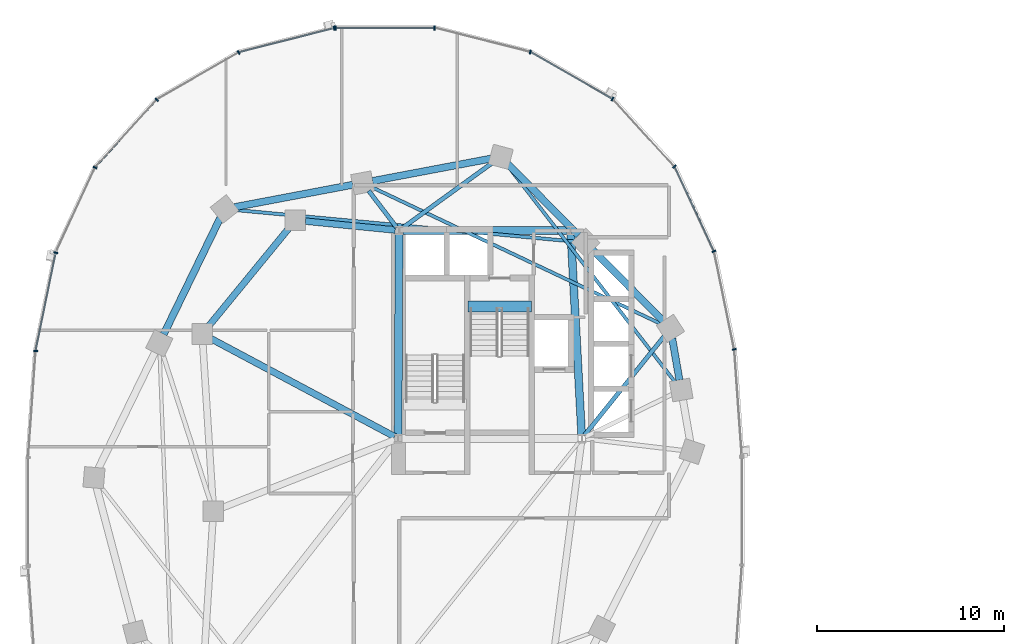
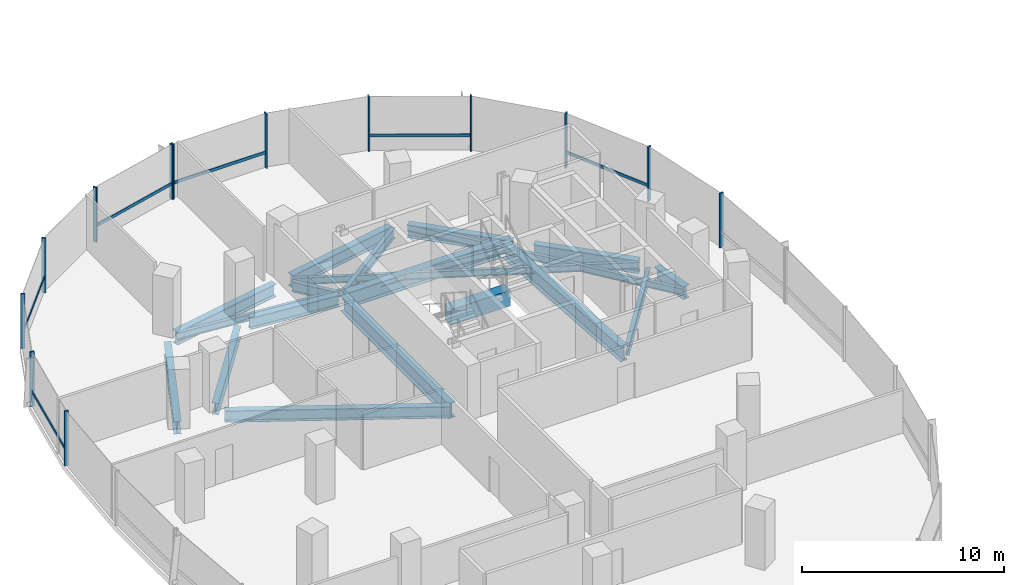
# One storey, part 4 of 21: 19 beams, 19 members, 2 elements without a shape of their own.
"""IFC4 building model written with IfcOpenShell, lengths in metres."""

from ifc_helpers import new_model, si_unit, direction, frame, origin, origin_2d, place, context, subcontext, project, spatial, rectangle, i_section, extrude, material, material_profile, profile_set, type_object, element, aggregate, save


model = new_model("IFC4")

# Units and contexts
model_context = context("Model", 3, precision=1e-05, world=origin(), true_north=direction((0.0, 1.0)))
body_context = subcontext(model_context, "Body", "Model", "MODEL_VIEW")
ifc_project = project(units=[si_unit("LENGTHUNIT", "METRE"), si_unit("AREAUNIT", "SQUARE_METRE"), si_unit("VOLUMEUNIT", "CUBIC_METRE"), si_unit("PLANEANGLEUNIT", "RADIAN"), si_unit("MASSUNIT", "GRAM", prefix="KILO"), si_unit("THERMODYNAMICTEMPERATUREUNIT", "KELVIN"), si_unit("POWERUNIT", "WATT")], contexts=[model_context])

# Site, building, storey
site_placement = place(None, origin())
site = spatial("IfcSite", under=ifc_project, at=site_placement, CompositionType="ELEMENT")
building_placement = place(site_placement, origin())
building = spatial("IfcBuilding", under=site, at=building_placement, Name="Cundina Bronze Exchange", CompositionType="ELEMENT")
storey_placement = place(building_placement, frame((0.0, 0.0, 99.800048828125)))
storey = spatial("IfcBuildingStorey", under=building, at=storey_placement, Name="L25", CompositionType="ELEMENT", Elevation=99.800048828125)

# Beams
ifc_material_1 = material(Name="Concrete C60/75", Category="concrete")
ifc_material_profile_1 = material_profile(ifc_material_1, rectangle(XDim=0.60009765625, YDim=0.949951171875, at=origin_2d()), Name="RC600X950", Category="concrete")
ifc_profile_set_1 = profile_set([ifc_material_profile_1], Name="Concrete C60/75")
beam_type_1 = type_object("IfcBeamType", Name="BM-COUP-RC950", PredefinedType="LINTEL", material=ifc_profile_set_1)
beam_1_placement = place(storey_placement, frame((-27.56005859375, 10.97998046875, -0.47509765625), z_axis=(1.0, 0.0, 0.0), x_axis=(0.0, 1.0, 0.0)))
element("IfcBeam", 1, at=beam_1_placement, inside=storey, type_object=beam_type_1, Name="L25 Stair W2 Landing Header Beam", PredefinedType="LINTEL", context=body_context, shape_type="SweptSolid", body=[
    extrude(rectangle(XDim=0.60009765625, YDim=0.949951171875, at=origin_2d()), origin(), (0.0, 0.0, 1.0), 3.400146484375),
])
ifc_material_2 = material(Name="Steel ASTM A992 Grade 50", Category="steel")
ifc_material_profile_2 = material_profile(ifc_material_2, i_section(OverallWidth=0.22998046875, OverallDepth=0.616943359375, WebThickness=0.01318359375, FlangeThickness=0.022216796875, FilletRadius=0.013916015625, at=origin_2d()), Name="W24X94", Category="steel")
ifc_profile_set_2 = profile_set([ifc_material_profile_2], Name="Steel ASTM A992 Grade 50")
beam_type_2 = type_object("IfcBeamType", Name="BM-FLR-W24B", PredefinedType="BEAM", material=ifc_profile_set_2)
beam_2_placement = place(storey_placement, frame((-21.322021484375, 4.058837890625, -0.608642578125), z_axis=(0.627106187843, 0.778933777139, 0.0), x_axis=(-0.778933777139, 0.627106187843, 0.0)))
element("IfcBeam", 2, at=beam_2_placement, inside=storey, type_object=beam_type_2, Name="L25 Leg W Radial Floor Beam 02", PredefinedType="BEAM", context=body_context, shape_type="SweptSolid", body=[
    extrude(i_section(OverallWidth=0.22998046875, OverallDepth=0.616943359375, WebThickness=0.01318359375, FlangeThickness=0.022216796875, FilletRadius=0.013916015625, at=origin_2d()), origin(), (0.0, 0.0, 1.0), 6.83251953125),
])
beam_3_placement = place(storey_placement, frame((-31.084716796875, 15.169677734375, -0.608642578125), z_axis=(0.809686957662, 0.586862020063, 0.0), x_axis=(-0.586862020063, 0.809686957662, 0.0)))
element("IfcBeam", 3, at=beam_3_placement, inside=storey, type_object=beam_type_2, Name="L25 Leg W Radial Floor Beam 04", PredefinedType="BEAM", context=body_context, shape_type="SweptSolid", body=[
    extrude(i_section(OverallWidth=0.22998046875, OverallDepth=0.616943359375, WebThickness=0.01318359375, FlangeThickness=0.022216796875, FilletRadius=0.013916015625, at=origin_2d()), origin(), (0.0, 0.0, 1.0), 5.98876953125),
])
beam_4_placement = place(storey_placement, frame((-31.373779296875, 15.2119140625, -0.608642578125), z_axis=(-0.607490490457, 0.79432695032, 0.0), x_axis=(-0.79432695032, -0.607490490457, 0.0)))
element("IfcBeam", 4, at=beam_4_placement, inside=storey, type_object=beam_type_2, Name="L25 Leg W Radial Floor Beam 05", PredefinedType="BEAM", context=body_context, shape_type="SweptSolid", body=[
    extrude(i_section(OverallWidth=0.22998046875, OverallDepth=0.616943359375, WebThickness=0.01318359375, FlangeThickness=0.022216796875, FilletRadius=0.013916015625, at=origin_2d()), origin(), (0.0, 0.0, 1.0), 2.46826171875),
])
ifc_material_profile_3 = material_profile(ifc_material_2, i_section(OverallWidth=0.178955078125, OverallDepth=0.409912109375, WebThickness=0.0087890625, FlangeThickness=0.014404296875, FilletRadius=0.010986328125, at=origin_2d()), Name="W16X45", Category="steel")
ifc_profile_set_3 = profile_set([ifc_material_profile_3], Name="Steel ASTM A992 Grade 50")
beam_type_3 = type_object("IfcBeamType", Name="BM-JST-W16", PredefinedType="JOIST", material=ifc_profile_set_3)
beam_5_placement = place(storey_placement, frame((-16.454345703125, 6.92529296875, -0.505126953125), z_axis=(-0.612065218806, 0.790807288742, 0.0), x_axis=(-0.790807288742, -0.612065218806, 0.0)))
element("IfcBeam", 5, at=beam_5_placement, inside=storey, type_object=beam_type_3, Name="L25 Leg W Lobe Floor Joist 01-04", PredefinedType="JOIST", context=body_context, shape_type="SweptSolid", body=[
    extrude(i_section(OverallWidth=0.178955078125, OverallDepth=0.409912109375, WebThickness=0.0087890625, FlangeThickness=0.014404296875, FilletRadius=0.010986328125, at=origin_2d()), origin(), (0.0, 0.0, 1.0), 14.73095703125),
])
beam_6_placement = place(storey_placement, frame((-17.186279296875, 10.02978515625, -0.505126953125), z_axis=(-0.904069270633, 0.427385954259, 0.0), x_axis=(-0.427385954259, -0.904069270633, 0.0)))
element("IfcBeam", 6, at=beam_6_placement, inside=storey, type_object=beam_type_3, Name="L25 Leg W Lobe Floor Joist 02-05", PredefinedType="JOIST", context=body_context, shape_type="SweptSolid", body=[
    extrude(i_section(OverallWidth=0.178955078125, OverallDepth=0.409912109375, WebThickness=0.0087890625, FlangeThickness=0.014404296875, FilletRadius=0.010986328125, at=origin_2d()), origin(), (0.0, 0.0, 1.0), 17.175048828125),
])
beam_7_placement = place(storey_placement, frame((-21.78564453125, 14.44970703125, -0.505126953125), z_axis=(-0.995700674022, 0.092629194921, 0.0), x_axis=(-0.092629194921, -0.995700674022, 0.0)))
element("IfcBeam", 7, at=beam_7_placement, inside=storey, type_object=beam_type_3, Name="L25 Leg W Lobe Floor Joist 03-06", PredefinedType="JOIST", context=body_context, shape_type="SweptSolid", body=[
    extrude(i_section(OverallWidth=0.178955078125, OverallDepth=0.409912109375, WebThickness=0.0087890625, FlangeThickness=0.014404296875, FilletRadius=0.010986328125, at=origin_2d()), origin(), (0.0, 0.0, 1.0), 18.357421875),
])
ifc_material_profile_4 = material_profile(ifc_material_2, i_section(OverallWidth=0.35498046875, OverallDepth=0.695068359375, WebThickness=0.015380859375, FlangeThickness=0.02490234375, FilletRadius=0.01806640625, at=origin_2d()), Name="W27X146", Category="steel")
ifc_profile_set_4 = profile_set([ifc_material_profile_4], Name="Steel ASTM A992 Grade 50")
beam_type_4 = type_object("IfcBeamType", Name="BM-RING-W27", PredefinedType="USERDEFINED", material=ifc_profile_set_4)
beam_8_placement = place(storey_placement, frame((-31.452880859375, 15.070068359375, -0.6474609375), z_axis=(-0.995126271817, 0.098608839051, 0.0), x_axis=(-0.098608839051, -0.995126271817, 0.0)))
element("IfcBeam", 8, at=beam_8_placement, inside=storey, type_object=beam_type_4, Name="L25 W Inner Structural Ring Girder 01", ObjectType="GIRDER", PredefinedType="USERDEFINED", context=body_context, shape_type="SweptSolid", body=[
    extrude(i_section(OverallWidth=0.35498046875, OverallDepth=0.695068359375, WebThickness=0.015380859375, FlangeThickness=0.02490234375, FilletRadius=0.01806640625, at=origin_2d()), origin(), (0.0, 0.0, 1.0), 4.83544921875),
])
beam_9_placement = place(storey_placement, frame((-37.14111328125, 15.183837890625, -0.6474609375), z_axis=(-0.633926549035, -0.773393257295, 0.0), x_axis=(0.773393257295, -0.633926549035, 0.0)))
element("IfcBeam", 9, at=beam_9_placement, inside=storey, type_object=beam_type_4, Name="L25 W Inner Structural Ring Girder 02", ObjectType="GIRDER", PredefinedType="USERDEFINED", context=body_context, shape_type="SweptSolid", body=[
    extrude(i_section(OverallWidth=0.35498046875, OverallDepth=0.695068359375, WebThickness=0.015380859375, FlangeThickness=0.02490234375, FilletRadius=0.01806640625, at=origin_2d()), origin(), (0.0, 0.0, 1.0), 6.811279296875),
])
beam_10_placement = place(storey_placement, frame((-31.47998046875, 3.99609375, -0.6474609375), z_axis=(-0.882354758239, 0.470584828286, 0.0), x_axis=(-0.470584828286, -0.882354758239, 0.0)))
element("IfcBeam", 10, at=beam_10_placement, inside=storey, type_object=beam_type_4, Name="L25 W Core-to-Waist Tie Beam 2", ObjectType="GIRDER", PredefinedType="USERDEFINED", context=body_context, shape_type="SweptSolid", body=[
    extrude(i_section(OverallWidth=0.35498046875, OverallDepth=0.695068359375, WebThickness=0.015380859375, FlangeThickness=0.02490234375, FilletRadius=0.01806640625, at=origin_2d()), origin(), (0.0, 0.0, 1.0), 11.157958984375),
])
ifc_material_profile_5 = material_profile(ifc_material_2, i_section(OverallWidth=0.381103515625, OverallDepth=0.77294921875, WebThickness=0.0166015625, FlangeThickness=0.027099609375, FilletRadius=0.01904296875, at=origin_2d()), Name="W30X173", Category="steel")
ifc_profile_set_5 = profile_set([ifc_material_profile_5], Name="Steel ASTM A992 Grade 50")
beam_type_5 = type_object("IfcBeamType", Name="BM-RING-W30", PredefinedType="USERDEFINED", material=ifc_profile_set_5)
beam_11_placement = place(storey_placement, frame((-16.21728515625, 7.030029296875, -0.6865234375), z_axis=(-0.171690078326, 0.985151012284, 0.0), x_axis=(-0.985151012284, -0.171690078326, 0.0)))
element("IfcBeam", 11, at=beam_11_placement, inside=storey, type_object=beam_type_5, Name="L25 W Perimeter Ring Girder 01", ObjectType="GIRDER", PredefinedType="USERDEFINED", context=body_context, shape_type="SweptSolid", body=[
    extrude(i_section(OverallWidth=0.381103515625, OverallDepth=0.77294921875, WebThickness=0.0166015625, FlangeThickness=0.027099609375, FilletRadius=0.01904296875, at=origin_2d()), origin(), (0.0, 0.0, 1.0), 2.273681640625),
])
for number, where, z_axis, x_axis, name in (
    (12, (-17.078369140625, 10.1826171875, -0.6865234375), (-0.703226342126, 0.7109660412, 0.0), (-0.7109660412, -0.703226342126, 0.0), "L25 W Perimeter Ring Girder 02"),
    (13, (-21.62841796875, 14.782470703125, -0.6865234375), (-0.703226342126, 0.7109660412, 0.0), (-0.7109660412, -0.703226342126, 0.0), "L25 W Perimeter Ring Girder 03"),
):
    element("IfcBeam", number, at=place(storey_placement, frame(where, z_axis=z_axis, x_axis=x_axis)), inside=storey, type_object=beam_type_5, Name=name, ObjectType="GIRDER", PredefinedType="USERDEFINED", context=body_context, shape_type="SweptSolid", body=[
        extrude(i_section(OverallWidth=0.381103515625, OverallDepth=0.77294921875, WebThickness=0.0166015625, FlangeThickness=0.027099609375, FilletRadius=0.01904296875, at=origin_2d()), origin(), (0.0, 0.0, 1.0), 5.39404296875),
    ])
for number, where, z_axis, x_axis, name in (
    (14, (-26.32861328125, 18.89990234375, -0.6865234375), (-0.98257117919, -0.185886733861, 0.0), (0.185886733861, -0.98257117919, 0.0), "L25 W Perimeter Ring Girder 04"),
    (15, (-33.728515625, 17.5, -0.6865234375), (-0.98257117919, -0.185886733861, 0.0), (0.185886733861, -0.98257117919, 0.0), "L25 W Perimeter Ring Girder 05"),
):
    element("IfcBeam", number, at=place(storey_placement, frame(where, z_axis=z_axis, x_axis=x_axis)), inside=storey, type_object=beam_type_5, Name=name, ObjectType="GIRDER", PredefinedType="USERDEFINED", context=body_context, shape_type="SweptSolid", body=[
        extrude(i_section(OverallWidth=0.381103515625, OverallDepth=0.77294921875, WebThickness=0.0166015625, FlangeThickness=0.027099609375, FilletRadius=0.01904296875, at=origin_2d()), origin(), (0.0, 0.0, 1.0), 6.455322265625),
    ])
beam_12_placement = place(storey_placement, frame((-40.835205078125, 15.716064453125, -0.6865234375), z_axis=(-0.437193894283, -0.899367276924, 0.0), x_axis=(0.899367276924, -0.437193894283, 0.0)))
element("IfcBeam", 16, at=beam_12_placement, inside=storey, type_object=beam_type_5, Name="L25 W Perimeter Ring Girder 06", ObjectType="GIRDER", PredefinedType="USERDEFINED", context=body_context, shape_type="SweptSolid", body=[
    extrude(i_section(OverallWidth=0.381103515625, OverallDepth=0.77294921875, WebThickness=0.0166015625, FlangeThickness=0.027099609375, FilletRadius=0.01904296875, at=origin_2d()), origin(), (0.0, 0.0, 1.0), 6.929443359375),
])
ifc_material_profile_6 = material_profile(ifc_material_2, i_section(OverallWidth=0.41796875, OverallDepth=0.927001953125, WebThickness=0.019287109375, FlangeThickness=0.031982421875, FilletRadius=0.02392578125, at=origin_2d()), Name="W36X231", Category="steel")
ifc_profile_set_6 = profile_set([ifc_material_profile_6], Name="Steel ASTM A992 Grade 50")
beam_type_6 = type_object("IfcBeamType", Name="BM-WRN-W36B", PredefinedType="USERDEFINED", material=ifc_profile_set_6)
beam_13_placement = place(storey_placement, frame((-21.4609375, 4.103759765625, -0.763427734375), z_axis=(-0.053739193498, 0.998555005537, 0.0), x_axis=(-0.998555005537, -0.053739193498, 0.0)))
element("IfcBeam", 17, at=beam_13_placement, inside=storey, type_object=beam_type_6, Name="L25 W Core Perimeter Tie Girder 2", ObjectType="GIRDER", PredefinedType="USERDEFINED", context=body_context, shape_type="SweptSolid", body=[
    extrude(i_section(OverallWidth=0.41796875, OverallDepth=0.927001953125, WebThickness=0.019287109375, FlangeThickness=0.031982421875, FilletRadius=0.02392578125, at=origin_2d()), origin(), (0.0, 0.0, 1.0), 10.758056640625),
])
beam_14_placement = place(storey_placement, frame((-22.25390625, 15.050048828125, -0.763427734375), z_axis=(-1.0, 0.0, 0.0), x_axis=(0.0, -1.0, 0.0)))
element("IfcBeam", 18, at=beam_14_placement, inside=storey, type_object=beam_type_6, Name="L25 W Core Perimeter Tie Girder 3", ObjectType="GIRDER", PredefinedType="USERDEFINED", context=body_context, shape_type="SweptSolid", body=[
    extrude(i_section(OverallWidth=0.41796875, OverallDepth=0.927001953125, WebThickness=0.019287109375, FlangeThickness=0.031982421875, FilletRadius=0.02392578125, at=origin_2d()), origin(), (0.0, 0.0, 1.0), 8.7919921875),
])
beam_15_placement = place(storey_placement, frame((-31.2509765625, 14.845947265625, -0.763427734375), z_axis=(-0.004477329608, -0.99998997671, 0.0), x_axis=(0.99998997671, -0.004477329608, 0.0)))
element("IfcBeam", 19, at=beam_15_placement, inside=storey, type_object=beam_type_6, Name="L25 W Core Perimeter Tie Girder 4", ObjectType="GIRDER", PredefinedType="USERDEFINED", context=body_context, shape_type="SweptSolid", body=[
    extrude(i_section(OverallWidth=0.41796875, OverallDepth=0.927001953125, WebThickness=0.019287109375, FlangeThickness=0.031982421875, FilletRadius=0.02392578125, at=origin_2d()), origin(), (0.0, 0.0, 1.0), 10.741943359375),
])

# Curtain wall, members
ifc_material_3 = material(Name="Anodised Bronze Aluminium 6063-T6", Category="aluminium")
curtain_wall_type = type_object("IfcCurtainWallType", Name="CWS-TRD-MID", PredefinedType="NOTDEFINED", material=ifc_material_3)
curtain_wall_1_placement = place(storey_placement, origin())
curtain_wall_1 = element("IfcCurtainWall", 20, at=curtain_wall_1_placement, inside=storey, type_object=curtain_wall_type, Name="L25 CW-03 Curtain Wall Run CWR-L25-W1", PredefinedType="NOTDEFINED")
ifc_material_profile_7 = material_profile(ifc_material_3, rectangle(XDim=0.074951171875, YDim=0.219970703125, at=origin_2d()), Name="AL75X220", Category="aluminium")
ifc_profile_set_7 = profile_set([ifc_material_profile_7], Name="Anodised Bronze Aluminium 6063-T6")
member_type_1 = type_object("IfcMemberType", Name="CWM-MUL-220", PredefinedType="MULLION", material=ifc_profile_set_7)
member_1_placement = place(storey_placement, frame((-13.282958984375, 8.67822265625, 0.0), z_axis=(0.0, 0.0, 1.0), x_axis=(-0.201419845156, 0.979505000486, 0.0)))
member_1 = element("IfcMember", 21, at=member_1_placement, type_object=member_type_1, Name="CW-03 Mullion 2", PredefinedType="MULLION", context=body_context, shape_type="SweptSolid", body=[
    extrude(rectangle(XDim=0.074951171875, YDim=0.219970703125, at=origin_2d()), origin(), (0.0, 0.0, 1.0), 3.300048828125),
])
member_2_placement = place(storey_placement, frame((-14.3720703125, 13.931884765625, 0.0), z_axis=(0.0, 0.0, 1.0), x_axis=(-0.42087749791, 0.907117485088, 0.0)))
member_2 = element("IfcMember", 22, at=member_2_placement, type_object=member_type_1, Name="CW-03 Mullion 3", PredefinedType="MULLION", context=body_context, shape_type="SweptSolid", body=[
    extrude(rectangle(XDim=0.074951171875, YDim=0.219970703125, at=origin_2d()), origin(), (0.0, 0.0, 1.0), 3.300048828125),
])
member_3_placement = place(storey_placement, frame((-16.491455078125, 18.47705078125, 0.0), z_axis=(0.0, 0.0, 1.0), x_axis=(-0.674302387584, 0.738455340626, 0.0)))
member_3 = element("IfcMember", 23, at=member_3_placement, type_object=member_type_1, Name="CW-03 Mullion 4", PredefinedType="MULLION", context=body_context, shape_type="SweptSolid", body=[
    extrude(rectangle(XDim=0.074951171875, YDim=0.219970703125, at=origin_2d()), origin(), (0.0, 0.0, 1.0), 3.300048828125),
])
member_4_placement = place(storey_placement, frame((-19.810302734375, 22.097412109375, 0.0), z_axis=(0.0, 0.0, 1.0), x_axis=(-0.867070701164, 0.498185105339, 0.0)))
member_4 = element("IfcMember", 24, at=member_4_placement, type_object=member_type_1, Name="CW-03 Mullion 5", PredefinedType="MULLION", context=body_context, shape_type="SweptSolid", body=[
    extrude(rectangle(XDim=0.074951171875, YDim=0.219970703125, at=origin_2d()), origin(), (0.0, 0.0, 1.0), 3.300048828125),
])
member_5_placement = place(storey_placement, frame((-24.21484375, 24.61669921875, 0.0), z_axis=(0.0, 0.0, 1.0), x_axis=(-0.969488149345, 0.245138182011, 0.0)))
member_5 = element("IfcMember", 25, at=member_5_placement, type_object=member_type_1, Name="CW-03 Mullion 6", PredefinedType="MULLION", context=body_context, shape_type="SweptSolid", body=[
    extrude(rectangle(XDim=0.074951171875, YDim=0.219970703125, at=origin_2d()), origin(), (0.0, 0.0, 1.0), 3.300048828125),
])
member_6_placement = place(storey_placement, frame((-29.345458984375, 25.905029296875, 0.0), z_axis=(0.0, 0.0, 1.0), x_axis=(-1.0, 0.0, 0.0)))
member_6 = element("IfcMember", 26, at=member_6_placement, type_object=member_type_1, Name="CW-03 Mullion 7", PredefinedType="MULLION", context=body_context, shape_type="SweptSolid", body=[
    extrude(rectangle(XDim=0.074951171875, YDim=0.219970703125, at=origin_2d()), origin(), (0.0, 0.0, 1.0), 3.300048828125),
])
member_7_placement = place(storey_placement, frame((-34.654541015625, 25.905029296875, 0.0), z_axis=(0.0, 0.0, 1.0), x_axis=(-1.0, 0.0, 0.0)))
member_7 = element("IfcMember", 27, at=member_7_placement, type_object=member_type_1, Name="CW-03 End Mullion", PredefinedType="MULLION", context=body_context, shape_type="SweptSolid", body=[
    extrude(rectangle(XDim=0.074951171875, YDim=0.219970703125, at=origin_2d()), origin(), (0.0, 0.0, 1.0), 3.300048828125),
])

curtain_wall_2_placement = place(storey_placement, origin())
curtain_wall_2 = element("IfcCurtainWall", 28, at=curtain_wall_2_placement, inside=storey, type_object=curtain_wall_type, Name="L25 CW-03 Curtain Wall Run CWR-L25-W2", PredefinedType="NOTDEFINED")
member_8_placement = place(storey_placement, frame((-34.72607421875, 25.89599609375, 0.0), z_axis=(0.0, 0.0, 1.0), x_axis=(-0.969488149345, -0.245138182011, 0.0)))
member_8 = element("IfcMember", 29, at=member_8_placement, type_object=member_type_1, Name="CW-03 Mullion 1", PredefinedType="MULLION", context=body_context, shape_type="SweptSolid", body=[
    extrude(rectangle(XDim=0.074951171875, YDim=0.219970703125, at=origin_2d()), origin(), (0.0, 0.0, 1.0), 3.300048828125),
])
member_9_placement = place(storey_placement, frame((-39.848876953125, 24.591064453125, 0.0), z_axis=(0.0, 0.0, 1.0), x_axis=(-0.867070701164, -0.498185105339, 0.0)))
member_9 = element("IfcMember", 30, at=member_9_placement, type_object=member_type_1, Name="CW-03 Mullion 2", PredefinedType="MULLION", context=body_context, shape_type="SweptSolid", body=[
    extrude(rectangle(XDim=0.074951171875, YDim=0.219970703125, at=origin_2d()), origin(), (0.0, 0.0, 1.0), 3.300048828125),
])
member_10_placement = place(storey_placement, frame((-44.239501953125, 22.0576171875, 0.0), z_axis=(0.0, 0.0, 1.0), x_axis=(-0.674302387584, -0.738455340626, 0.0)))
member_10 = element("IfcMember", 31, at=member_10_placement, type_object=member_type_1, Name="CW-03 Mullion 3", PredefinedType="MULLION", context=body_context, shape_type="SweptSolid", body=[
    extrude(rectangle(XDim=0.074951171875, YDim=0.219970703125, at=origin_2d()), origin(), (0.0, 0.0, 1.0), 3.300048828125),
])
member_11_placement = place(storey_placement, frame((-47.544189453125, 18.423583984375, 0.0), z_axis=(0.0, 0.0, 1.0), x_axis=(-0.42087749791, -0.907117485088, 0.0)))
member_11 = element("IfcMember", 32, at=member_11_placement, type_object=member_type_1, Name="CW-03 Mullion 4", PredefinedType="MULLION", context=body_context, shape_type="SweptSolid", body=[
    extrude(rectangle(XDim=0.074951171875, YDim=0.219970703125, at=origin_2d()), origin(), (0.0, 0.0, 1.0), 3.300048828125),
])
member_12_placement = place(storey_placement, frame((-49.651123046875, 13.861328125, 0.0), z_axis=(0.0, 0.0, 1.0), x_axis=(-0.201419845156, -0.979505000486, 0.0)))
member_12 = element("IfcMember", 33, at=member_12_placement, type_object=member_type_1, Name="CW-03 Mullion 5", PredefinedType="MULLION", context=body_context, shape_type="SweptSolid", body=[
    extrude(rectangle(XDim=0.074951171875, YDim=0.219970703125, at=origin_2d()), origin(), (0.0, 0.0, 1.0), 3.300048828125),
])
member_13_placement = place(storey_placement, frame((-50.72900390625, 8.591552734375, 0.0), z_axis=(0.0, 0.0, 1.0), x_axis=(-0.070278787473, -0.997527389113, 0.0)))
member_13 = element("IfcMember", 34, at=member_13_placement, type_object=member_type_1, Name="CW-03 Mullion 6", PredefinedType="MULLION", context=body_context, shape_type="SweptSolid", body=[
    extrude(rectangle(XDim=0.074951171875, YDim=0.219970703125, at=origin_2d()), origin(), (0.0, 0.0, 1.0), 3.300048828125),
])

# Member
ifc_material_profile_8 = material_profile(ifc_material_3, rectangle(XDim=0.070068359375, YDim=0.179931640625, at=origin_2d()), Name="AL70X180", Category="aluminium")
ifc_profile_set_8 = profile_set([ifc_material_profile_8], Name="Anodised Bronze Aluminium 6063-T6")
member_type_2 = type_object("IfcMemberType", Name="CWM-TRN-180", PredefinedType="USERDEFINED", material=ifc_profile_set_8)
member_14_placement = place(storey_placement, frame((-14.389404296875, 13.96923828125, 0.919921875), z_axis=(-0.420811422796, 0.907148139195, 0.0), x_axis=(-0.907148139195, -0.420811422796, 0.0)))
member_14 = element("IfcMember", 35, at=member_14_placement, type_object=member_type_2, Name="CW-03 Spandrel Transom 3", ObjectType="TRANSOM", PredefinedType="USERDEFINED", context=body_context, shape_type="SweptSolid", body=[
    extrude(rectangle(XDim=0.070068359375, YDim=0.179931640625, at=origin_2d()), origin(), (0.0, 0.0, 1.0), 4.95166015625),
])

member_15_placement = place(storey_placement, frame((-19.845947265625, 22.117919921875, 0.919921875), z_axis=(-0.867097475651, 0.498138502546, 0.0), x_axis=(-0.498138502546, -0.867097475651, 0.0)))
member_15 = element("IfcMember", 36, at=member_15_placement, type_object=member_type_2, Name="CW-03 Spandrel Transom 5", ObjectType="TRANSOM", PredefinedType="USERDEFINED", context=body_context, shape_type="SweptSolid", body=[
    extrude(rectangle(XDim=0.070068359375, YDim=0.179931640625, at=origin_2d()), origin(), (0.0, 0.0, 1.0), 5.00634765625),
])

member_16_placement = place(storey_placement, frame((-29.38671875, 25.905029296875, 0.919921875), z_axis=(-1.0, 0.0, 0.0), x_axis=(0.0, -1.0, 0.0)))
member_16 = element("IfcMember", 37, at=member_16_placement, type_object=member_type_2, Name="CW-03 Spandrel Transom 7", ObjectType="TRANSOM", PredefinedType="USERDEFINED", context=body_context, shape_type="SweptSolid", body=[
    extrude(rectangle(XDim=0.070068359375, YDim=0.179931640625, at=origin_2d()), origin(), (0.0, 0.0, 1.0), 5.2265625),
])

aggregate(curtain_wall_1, [member_1, member_2, member_14, member_3, member_4, member_15, member_5, member_6, member_7, member_16])

member_17_placement = place(storey_placement, frame((-34.76611328125, 25.885986328125, 0.919921875), z_axis=(-0.969483968866, -0.245154714644, 0.0), x_axis=(0.245154714644, -0.969483968866, 0.0)))
member_17 = element("IfcMember", 38, at=member_17_placement, type_object=member_type_2, Name="CW-03 Spandrel Transom 1", ObjectType="TRANSOM", PredefinedType="USERDEFINED", context=body_context, shape_type="SweptSolid", body=[
    extrude(rectangle(XDim=0.070068359375, YDim=0.179931640625, at=origin_2d()), origin(), (0.0, 0.0, 1.0), 5.21826171875),
])

member_18_placement = place(storey_placement, frame((-44.26708984375, 22.027099609375, 0.919921875), z_axis=(-0.674302794847, -0.738454968743, 0.0), x_axis=(0.738454968743, -0.674302794847, 0.0)))
member_18 = element("IfcMember", 39, at=member_18_placement, type_object=member_type_2, Name="CW-03 Spandrel Transom 3", ObjectType="TRANSOM", PredefinedType="USERDEFINED", context=body_context, shape_type="SweptSolid", body=[
    extrude(rectangle(XDim=0.070068359375, YDim=0.179931640625, at=origin_2d()), origin(), (0.0, 0.0, 1.0), 4.848388671875),
])

member_19_placement = place(storey_placement, frame((-49.659423828125, 13.821044921875, 0.919921875), z_axis=(-0.201427712708, -0.979503382615, 0.0), x_axis=(0.979503382615, -0.201427712708, 0.0)))
member_19 = element("IfcMember", 40, at=member_19_placement, type_object=member_type_2, Name="CW-03 Spandrel Transom 5", ObjectType="TRANSOM", PredefinedType="USERDEFINED", context=body_context, shape_type="SweptSolid", body=[
    extrude(rectangle(XDim=0.070068359375, YDim=0.179931640625, at=origin_2d()), origin(), (0.0, 0.0, 1.0), 5.291748046875),
])

aggregate(curtain_wall_2, [member_8, member_17, member_9, member_10, member_18, member_11, member_12, member_19, member_13])

save(model, "model.ifc")
